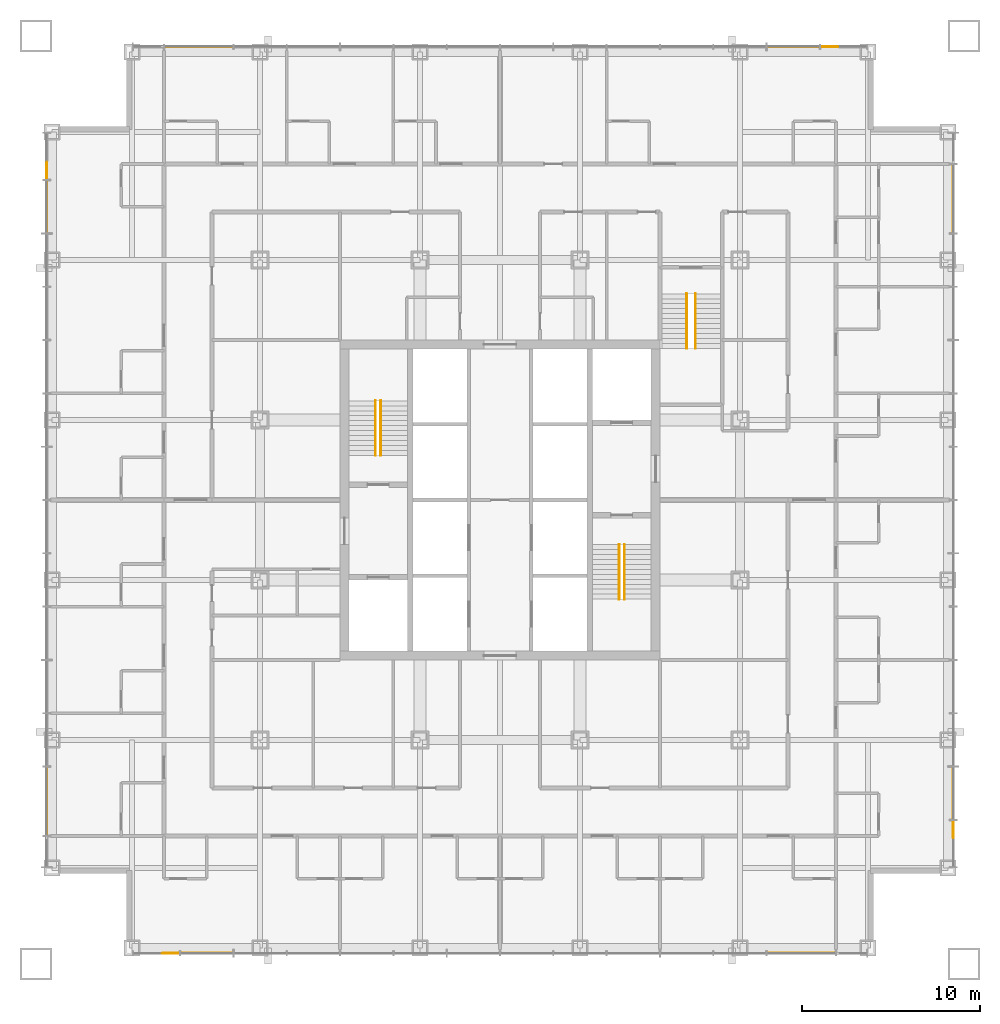
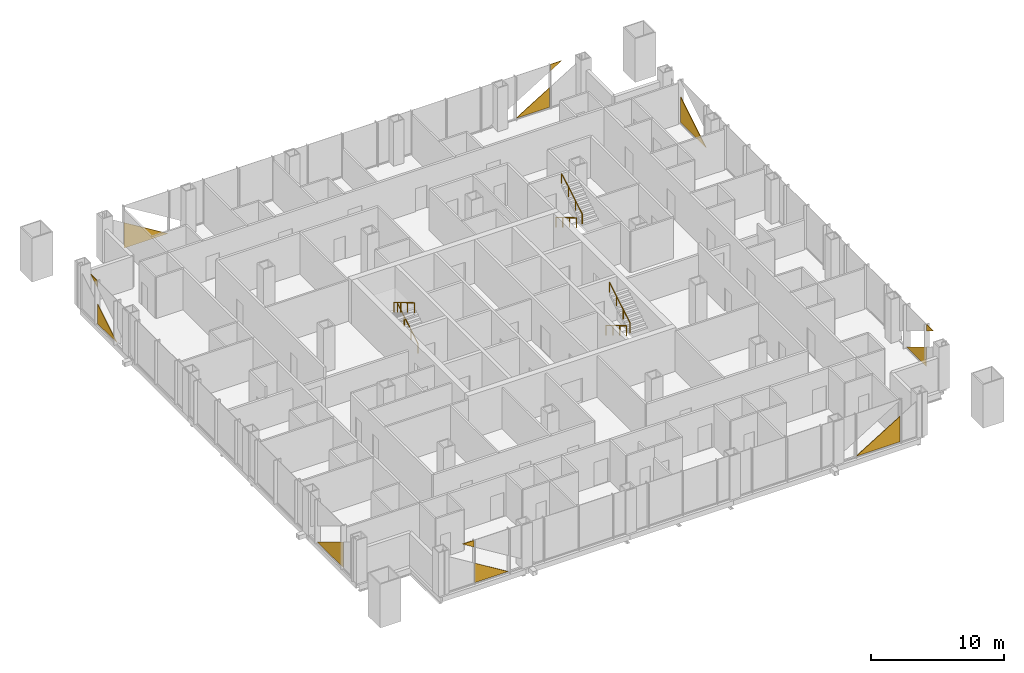
# One storey, part 13 of 17: 12 coverings, 6 railings.
"""IFC4 building model written with IfcOpenShell, lengths in metres."""

from ifc_helpers import new_model, si_unit, direction, frame, origin, origin_2d, place, context, subcontext, project, spatial, polyline, circle, outline, extrude, material, layer, layer_set, type_object, element, save


model = new_model("IFC4")

# Units and contexts
model_context = context("Model", 3, precision=1e-05, world=origin(), true_north=direction((0.0, 1.0)))
body_context = subcontext(model_context, "Body", "Model", "MODEL_VIEW")
ifc_project = project(units=[si_unit("LENGTHUNIT", "METRE"), si_unit("AREAUNIT", "SQUARE_METRE"), si_unit("VOLUMEUNIT", "CUBIC_METRE"), si_unit("PLANEANGLEUNIT", "RADIAN"), si_unit("MASSUNIT", "GRAM", prefix="KILO")], contexts=[model_context])

# Site, building, storey
site_placement = place(None, origin())
site = spatial("IfcSite", under=ifc_project, at=site_placement, CompositionType="ELEMENT")
building_placement = place(site_placement, origin())
building = spatial("IfcBuilding", under=site, at=building_placement, Name="Malebo Sky Hospital", CompositionType="ELEMENT")
storey_placement = place(building_placement, frame((0.0, 0.0, 55.0)))
storey = spatial("IfcBuildingStorey", under=building, at=storey_placement, Name="L12", CompositionType="ELEMENT", Elevation=55.0)

# Coverings
ifc_material_1 = material(Name="Anodised aluminium, natural silver insulated infill panel", Category="aluminium")
ifc_layer = layer(ifc_material_1, 0.0400390625)
ifc_layer_set = layer_set([ifc_layer], Name="BRACE INFILL PANEL 40")
covering_type = type_object("IfcCoveringType", Name="BRACE INFILL PANEL 40", PredefinedType="CLADDING", material=ifc_layer_set)
covering_1_placement = place(storey_placement, frame((43.03759765625, 87.5, 0.10009765625), z_axis=(0.0, 0.0, 1.0), x_axis=(1.0, 0.0, 0.0)))
element("IfcCovering", 1, at=covering_1_placement, inside=storey, type_object=covering_type, Name="Brace infill panel 2.1", PredefinedType="CLADDING", context=body_context, shape_type="SweptSolid", body=[
    extrude(outline(polyline([(-1.900146484375, 0.0), (1.900146484375, 0.0), (-1.900146484375, 2.32958984375), (-1.900146484375, 0.0)])), frame((0.0, 0.02001953125, 0.0), z_axis=(0.0, -1.0, 0.0), x_axis=(1.0, 0.0, 0.0)), (0.0, 0.0, 1.0), 0.0400390625),
])
covering_2_placement = place(storey_placement, frame((76.512451171875, 87.5, 0.10009765625), z_axis=(0.0, 0.0, 1.0), x_axis=(1.0, 0.0, 0.0)))
element("IfcCovering", 2, at=covering_2_placement, inside=storey, type_object=covering_type, Name="Brace infill panel 13.1", PredefinedType="CLADDING", context=body_context, shape_type="SweptSolid", body=[
    extrude(outline(polyline([(-1.4501953125, 0.0), (1.4501953125, 0.0), (1.4501953125, 1.77783203125), (-1.4501953125, 0.0)])), frame((0.0, 0.02001953125, 0.0), z_axis=(0.0, -1.0, 0.0), x_axis=(1.0, 0.0, 0.0)), (0.0, 0.0, 1.0), 0.0400390625),
])
covering_3_placement = place(storey_placement, frame((78.52587890625, 87.5, 3.39111328125), z_axis=(0.0, 0.0, 1.0), x_axis=(1.0, 0.0, 0.0)))
element("IfcCovering", 3, at=covering_3_placement, inside=storey, type_object=covering_type, Name="Brace infill panel 14.1", PredefinedType="CLADDING", context=body_context, shape_type="SweptSolid", body=[
    extrude(outline(polyline([(-0.48828125, 0.0), (0.48828125, 0.598876953125), (-0.48828125, 0.598876953125), (-0.48828125, 0.0)])), frame((0.0, 0.02001953125, 0.0), z_axis=(0.0, -1.0, 0.0), x_axis=(1.0, 0.0, 0.0)), (0.0, 0.0, 1.0), 0.0400390625),
])
covering_4_placement = place(storey_placement, frame((34.5, 45.03759765625, 0.10009765625), z_axis=(0.0, 0.0, 1.0), x_axis=(0.0, 1.0, 0.0)))
element("IfcCovering", 4, at=covering_4_placement, inside=storey, type_object=covering_type, Name="Brace infill panel 2.1", PredefinedType="CLADDING", context=body_context, shape_type="SweptSolid", body=[
    extrude(outline(polyline([(-1.900146484375, 0.0), (1.900146484375, 0.0), (-1.900146484375, 2.32958984375), (-1.900146484375, 0.0)])), frame((0.0, 0.02001953125, 0.0), z_axis=(0.0, -1.0, 0.0), x_axis=(1.0, 0.0, 0.0)), (0.0, 0.0, 1.0), 0.0400390625),
])
covering_5_placement = place(storey_placement, frame((34.5, 78.512451171875, 0.10009765625), z_axis=(0.0, 0.0, 1.0), x_axis=(0.0, 1.0, 0.0)))
element("IfcCovering", 5, at=covering_5_placement, inside=storey, type_object=covering_type, Name="Brace infill panel 13.1", PredefinedType="CLADDING", context=body_context, shape_type="SweptSolid", body=[
    extrude(outline(polyline([(-1.4501953125, 0.0), (1.4501953125, 0.0), (1.4501953125, 1.77783203125), (-1.4501953125, 0.0)])), frame((0.0, 0.02001953125, 0.0), z_axis=(0.0, -1.0, 0.0), x_axis=(1.0, 0.0, 0.0)), (0.0, 0.0, 1.0), 0.0400390625),
])
covering_6_placement = place(storey_placement, frame((34.5, 80.52587890625, 3.39111328125), z_axis=(0.0, 0.0, 1.0), x_axis=(0.0, 1.0, 0.0)))
element("IfcCovering", 6, at=covering_6_placement, inside=storey, type_object=covering_type, Name="Brace infill panel 14.1", PredefinedType="CLADDING", context=body_context, shape_type="SweptSolid", body=[
    extrude(outline(polyline([(-0.48828125, 0.0), (0.48828125, 0.598876953125), (-0.48828125, 0.598876953125), (-0.48828125, 0.0)])), frame((0.0, 0.02001953125, 0.0), z_axis=(0.0, -1.0, 0.0), x_axis=(1.0, 0.0, 0.0)), (0.0, 0.0, 1.0), 0.0400390625),
])
covering_7_placement = place(storey_placement, frame((76.96240234375, 36.5, 0.10009765625), z_axis=(0.0, 0.0, 1.0), x_axis=(-1.0, 0.0, 0.0)))
element("IfcCovering", 7, at=covering_7_placement, inside=storey, type_object=covering_type, Name="Brace infill panel 2.1", PredefinedType="CLADDING", context=body_context, shape_type="SweptSolid", body=[
    extrude(outline(polyline([(-1.900146484375, 0.0), (1.900146484375, 0.0), (-1.900146484375, 2.32958984375), (-1.900146484375, 0.0)])), frame((0.0, 0.02001953125, 0.0), z_axis=(0.0, -1.0, 0.0), x_axis=(1.0, 0.0, 0.0)), (0.0, 0.0, 1.0), 0.0400390625),
])
covering_8_placement = place(storey_placement, frame((43.487548828125, 36.5, 0.10009765625), z_axis=(0.0, 0.0, 1.0), x_axis=(-1.0, 0.0, 0.0)))
element("IfcCovering", 8, at=covering_8_placement, inside=storey, type_object=covering_type, Name="Brace infill panel 13.1", PredefinedType="CLADDING", context=body_context, shape_type="SweptSolid", body=[
    extrude(outline(polyline([(-1.4501953125, 0.0), (1.4501953125, 0.0), (1.4501953125, 1.77783203125), (-1.4501953125, 0.0)])), frame((0.0, 0.02001953125, 0.0), z_axis=(0.0, -1.0, 0.0), x_axis=(1.0, 0.0, 0.0)), (0.0, 0.0, 1.0), 0.0400390625),
])
covering_9_placement = place(storey_placement, frame((41.47412109375, 36.5, 3.39111328125), z_axis=(0.0, 0.0, 1.0), x_axis=(-1.0, 0.0, 0.0)))
element("IfcCovering", 9, at=covering_9_placement, inside=storey, type_object=covering_type, Name="Brace infill panel 14.1", PredefinedType="CLADDING", context=body_context, shape_type="SweptSolid", body=[
    extrude(outline(polyline([(-0.48828125, 0.0), (0.48828125, 0.598876953125), (-0.48828125, 0.598876953125), (-0.48828125, 0.0)])), frame((0.0, 0.02001953125, 0.0), z_axis=(0.0, -1.0, 0.0), x_axis=(1.0, 0.0, 0.0)), (0.0, 0.0, 1.0), 0.0400390625),
])
covering_10_placement = place(storey_placement, frame((85.5, 78.96240234375, 0.10009765625), z_axis=(0.0, 0.0, 1.0), x_axis=(0.0, -1.0, 0.0)))
element("IfcCovering", 10, at=covering_10_placement, inside=storey, type_object=covering_type, Name="Brace infill panel 2.1", PredefinedType="CLADDING", context=body_context, shape_type="SweptSolid", body=[
    extrude(outline(polyline([(-1.900146484375, 0.0), (1.900146484375, 0.0), (-1.900146484375, 2.32958984375), (-1.900146484375, 0.0)])), frame((0.0, 0.02001953125, 0.0), z_axis=(0.0, -1.0, 0.0), x_axis=(1.0, 0.0, 0.0)), (0.0, 0.0, 1.0), 0.0400390625),
])
covering_11_placement = place(storey_placement, frame((85.5, 45.487548828125, 0.10009765625), z_axis=(0.0, 0.0, 1.0), x_axis=(0.0, -1.0, 0.0)))
element("IfcCovering", 11, at=covering_11_placement, inside=storey, type_object=covering_type, Name="Brace infill panel 13.1", PredefinedType="CLADDING", context=body_context, shape_type="SweptSolid", body=[
    extrude(outline(polyline([(-1.4501953125, 0.0), (1.4501953125, 0.0), (1.4501953125, 1.77783203125), (-1.4501953125, 0.0)])), frame((0.0, 0.02001953125, 0.0), z_axis=(0.0, -1.0, 0.0), x_axis=(1.0, 0.0, 0.0)), (0.0, 0.0, 1.0), 0.0400390625),
])
covering_12_placement = place(storey_placement, frame((85.5, 43.47412109375, 3.39111328125), z_axis=(0.0, 0.0, 1.0), x_axis=(0.0, -1.0, 0.0)))
element("IfcCovering", 12, at=covering_12_placement, inside=storey, type_object=covering_type, Name="Brace infill panel 14.1", PredefinedType="CLADDING", context=body_context, shape_type="SweptSolid", body=[
    extrude(outline(polyline([(-0.48828125, 0.0), (0.48828125, 0.598876953125), (-0.48828125, 0.598876953125), (-0.48828125, 0.0)])), frame((0.0, 0.02001953125, 0.0), z_axis=(0.0, -1.0, 0.0), x_axis=(1.0, 0.0, 0.0)), (0.0, 0.0, 1.0), 0.0400390625),
])

# Railings
ifc_material_2 = material(Name="Stainless steel tube", Category="steel")
railing_type = type_object("IfcRailingType", Name="STAIR HANDRAIL 900", PredefinedType="HANDRAIL", material=ifc_material_2)
railing_1_placement = place(storey_placement, frame((53.300048828125, 64.5, 0.166748046875)))
element("IfcRailing", 13, at=railing_1_placement, inside=storey, type_object=railing_type, Name="Stair handrail S1 flight 1", PredefinedType="HANDRAIL", context=body_context, shape_type="SweptSolid", body=[
    extrude(circle(Radius=0.02392578125, at=origin_2d()), frame((0.0, 0.0, 0.8759765625), z_axis=(0.0, 0.859308565015, 0.511457515432), x_axis=(-1.0, 0.0, 0.0)), (0.0, 0.0, 1.0), 3.58447265625),
    extrude(circle(Radius=0.02099609375, at=origin_2d()), origin(), (0.0, 0.0, 1.0), 0.851806640625),
    extrude(circle(Radius=0.02099609375, at=origin_2d()), frame((0.0, 1.026611328125, 0.611083984375)), (0.0, 0.0, 1.0), 0.851806640625),
    extrude(circle(Radius=0.02099609375, at=origin_2d()), frame((0.0, 2.053466796875, 1.22216796875)), (0.0, 0.0, 1.0), 0.851806640625),
    extrude(circle(Radius=0.02099609375, at=origin_2d()), frame((0.0, 3.080078125, 1.833251953125)), (0.0, 0.0, 1.0), 0.851806640625),
])
for number, where, name in (
    (14, (53.0, 67.580078125, 2.166748046875), "Stair handrail S1 flight 2"),
    (15, (66.699951171875, 59.5, 0.166748046875), "Stair handrail S2 flight 1"),
):
    element("IfcRailing", number, at=place(storey_placement, frame(where)), inside=storey, type_object=railing_type, Name=name, PredefinedType="HANDRAIL", context=body_context, shape_type="SweptSolid", body=[
        extrude(circle(Radius=0.02392578125, at=origin_2d()), frame((0.0, 0.0, 0.8759765625), z_axis=(0.0, -0.859308565015, 0.511457515432), x_axis=(1.0, 0.0, 0.0)), (0.0, 0.0, 1.0), 3.58447265625),
        extrude(circle(Radius=0.02099609375, at=origin_2d()), origin(), (0.0, 0.0, 1.0), 0.851806640625),
        extrude(circle(Radius=0.02099609375, at=origin_2d()), frame((0.0, -1.026611328125, 0.611083984375)), (0.0, 0.0, 1.0), 0.851806640625),
        extrude(circle(Radius=0.02099609375, at=origin_2d()), frame((0.0, -2.053466796875, 1.22216796875)), (0.0, 0.0, 1.0), 0.851806640625),
        extrude(circle(Radius=0.02099609375, at=origin_2d()), frame((0.0, -3.080078125, 1.833251953125)), (0.0, 0.0, 1.0), 0.851806640625),
    ])
railing_2_placement = place(storey_placement, frame((67.0, 56.419921875, 2.166748046875)))
element("IfcRailing", 16, at=railing_2_placement, inside=storey, type_object=railing_type, Name="Stair handrail S2 flight 2", PredefinedType="HANDRAIL", context=body_context, shape_type="SweptSolid", body=[
    extrude(circle(Radius=0.02392578125, at=origin_2d()), frame((0.0, 0.0, 0.8759765625), z_axis=(0.0, 0.859308565015, 0.511457515432), x_axis=(-1.0, 0.0, 0.0)), (0.0, 0.0, 1.0), 3.58447265625),
    extrude(circle(Radius=0.02099609375, at=origin_2d()), origin(), (0.0, 0.0, 1.0), 0.851806640625),
    extrude(circle(Radius=0.02099609375, at=origin_2d()), frame((0.0, 1.026611328125, 0.611083984375)), (0.0, 0.0, 1.0), 0.851806640625),
    extrude(circle(Radius=0.02099609375, at=origin_2d()), frame((0.0, 2.053466796875, 1.22216796875)), (0.0, 0.0, 1.0), 0.851806640625),
    extrude(circle(Radius=0.02099609375, at=origin_2d()), frame((0.0, 3.080078125, 1.833251953125)), (0.0, 0.0, 1.0), 0.851806640625),
])
railing_3_placement = place(storey_placement, frame((70.5, 73.60009765625, 0.166748046875)))
element("IfcRailing", 17, at=railing_3_placement, inside=storey, type_object=railing_type, Name="Stair handrail S3 flight 1", PredefinedType="HANDRAIL", context=body_context, shape_type="SweptSolid", body=[
    extrude(circle(Radius=0.02392578125, at=origin_2d()), frame((0.0, 0.0, 0.8759765625), z_axis=(0.0, -0.859308565015, 0.511457515432), x_axis=(1.0, 0.0, 0.0)), (0.0, 0.0, 1.0), 3.58447265625),
    extrude(circle(Radius=0.02099609375, at=origin_2d()), origin(), (0.0, 0.0, 1.0), 0.851806640625),
    extrude(circle(Radius=0.02099609375, at=origin_2d()), frame((0.0, -1.026611328125, 0.611083984375)), (0.0, 0.0, 1.0), 0.851806640625),
    extrude(circle(Radius=0.02099609375, at=origin_2d()), frame((0.0, -2.053466796875, 1.22216796875)), (0.0, 0.0, 1.0), 0.851806640625),
    extrude(circle(Radius=0.02099609375, at=origin_2d()), frame((0.0, -3.080078125, 1.833251953125)), (0.0, 0.0, 1.0), 0.851806640625),
])
railing_4_placement = place(storey_placement, frame((71.0, 70.52001953125, 2.166748046875)))
element("IfcRailing", 18, at=railing_4_placement, inside=storey, type_object=railing_type, Name="Stair handrail S3 flight 2", PredefinedType="HANDRAIL", context=body_context, shape_type="SweptSolid", body=[
    extrude(circle(Radius=0.02392578125, at=origin_2d()), frame((0.0, 0.0, 0.8759765625), z_axis=(0.0, 0.859308565015, 0.511457515432), x_axis=(-1.0, 0.0, 0.0)), (0.0, 0.0, 1.0), 3.58447265625),
    extrude(circle(Radius=0.02099609375, at=origin_2d()), origin(), (0.0, 0.0, 1.0), 0.851806640625),
    extrude(circle(Radius=0.02099609375, at=origin_2d()), frame((0.0, 1.026611328125, 0.611083984375)), (0.0, 0.0, 1.0), 0.851806640625),
    extrude(circle(Radius=0.02099609375, at=origin_2d()), frame((0.0, 2.053466796875, 1.22216796875)), (0.0, 0.0, 1.0), 0.851806640625),
    extrude(circle(Radius=0.02099609375, at=origin_2d()), frame((0.0, 3.080078125, 1.833251953125)), (0.0, 0.0, 1.0), 0.851806640625),
])

save(model, "model.ifc")
